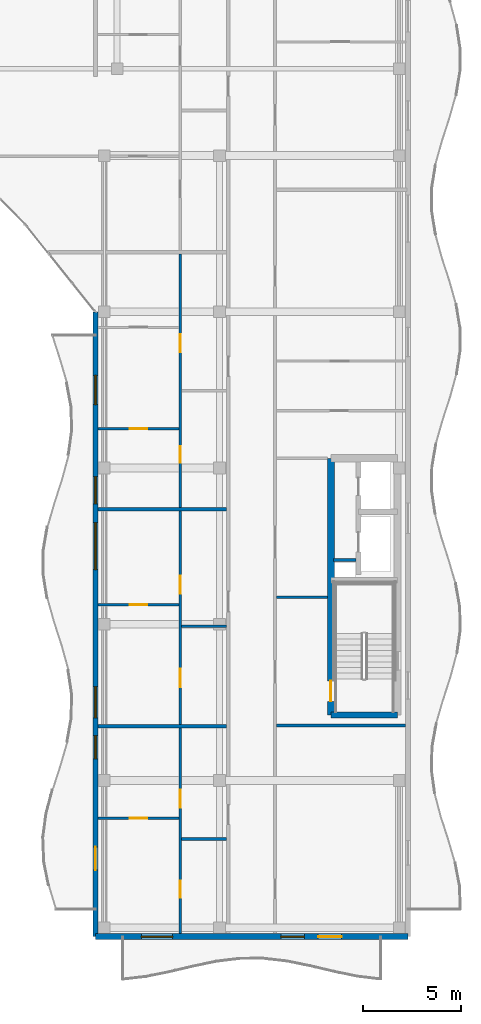
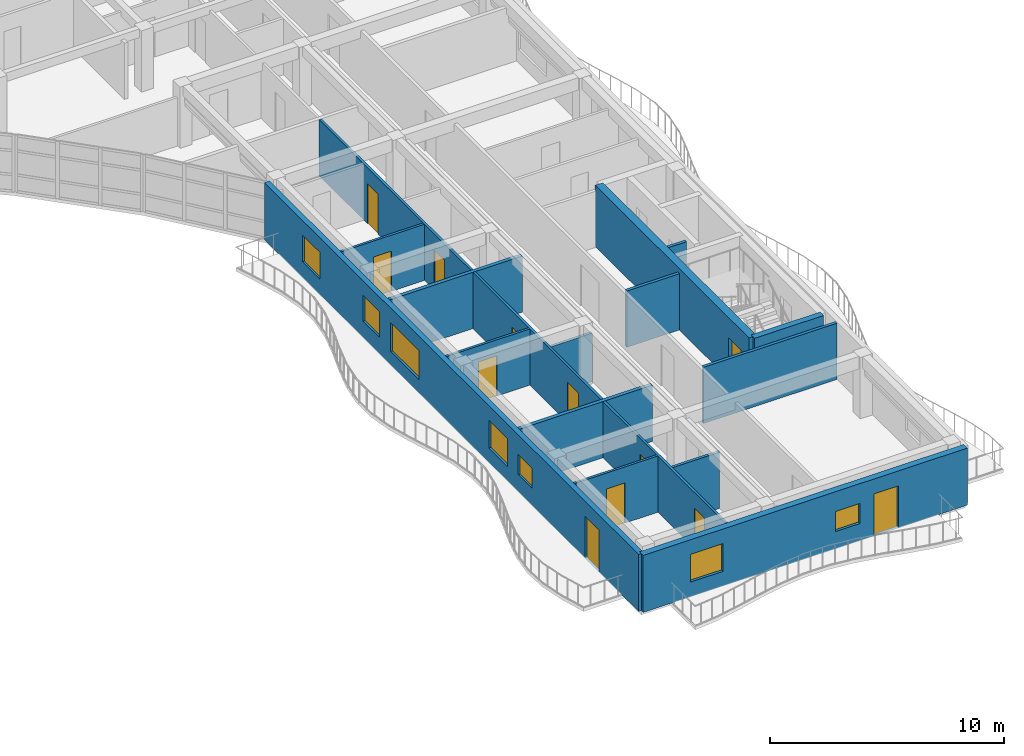
# One storey, part 42 of 72: 17 walls, 12 doors, 7 windows, 19 openings.
"""IFC4 building model written with IfcOpenShell, lengths in metres."""

import ifcopenshell
import ifcopenshell.guid

model = None  # the IFC model being written
_history = None  # IfcOwnerHistory: only IFC2X3 demands one
_inside = {}  # id of a spatial element -> (the spatial element, [elements in it])
_under = {}  # id of a project, library or spatial element -> (it, [spatial elements below it])
_declared = {}  # id of a project -> (the project, [libraries it declares])
_typed = {}  # id of a type object -> (the type object, [elements of that type])
_made_of = {}  # id of a material, layer set ... -> (it, [elements and type objects made of it])


def new_model(schema):
    """Start an empty IFC model of exactly this schema.

    Asked for "IFC4X3", IfcOpenShell would pick the latest addendum, in which some entities
    have other attributes; the version numbers below select the first issue.
    IFC2X3 requires an IfcOwnerHistory on every rooted entity: one is made here for all.
    """
    global model, _history
    if schema == "IFC4X3":
        model = ifcopenshell.file(schema_version=(4, 3, 0, 0))
    else:
        model = ifcopenshell.file(schema=schema)
    _inside.clear()
    _under.clear()
    _declared.clear()
    _typed.clear()
    _made_of.clear()
    _history = None
    if model.schema == "IFC2X3":
        org = make("IfcOrganization", Name="unknown")
        user = make(
            "IfcPersonAndOrganization",
            ThePerson=make("IfcPerson", FamilyName="unknown"),
            TheOrganization=org,
        )
        app = make(
            "IfcApplication",
            ApplicationDeveloper=org,
            Version="unknown",
            ApplicationFullName="unknown",
            ApplicationIdentifier="unknown",
        )
        _history = make(
            "IfcOwnerHistory",
            OwningUser=user,
            OwningApplication=app,
            ChangeAction="ADDED",
            CreationDate=0,
        )
    return model


def make(cls, **values):
    """One entity of the class cls with the attributes given. An attribute that is None is left unset."""
    return model.create_entity(
        cls, **{name: value for name, value in values.items() if value is not None}
    )


def rooted(cls, **values):
    """An entity with a GlobalId (a new one), such as an element, a storey or a relation."""
    return make(cls, GlobalId=ifcopenshell.guid.new(), OwnerHistory=_history, **values)


def si_unit(unit_type, name, prefix=None):
    """IfcSIUnit, for example si_unit("LENGTHUNIT", "METRE", prefix="MILLI")."""
    return make("IfcSIUnit", UnitType=unit_type, Prefix=prefix, Name=name)


def assignment(units):
    """IfcUnitAssignment: the units of a project."""
    return None if units is None else make("IfcUnitAssignment", Units=units)


def point(xyz):
    """IfcCartesianPoint."""
    return None if xyz is None else make("IfcCartesianPoint", Coordinates=xyz)


def direction(xyz):
    """IfcDirection."""
    return None if xyz is None else make("IfcDirection", DirectionRatios=xyz)


def frame(location, z_axis=None, x_axis=None):
    """IfcAxis2Placement3D, a coordinate frame: its origin and axes. An axis left out is left unset."""
    return make(
        "IfcAxis2Placement3D",
        Location=point(location),
        Axis=direction(z_axis),
        RefDirection=direction(x_axis),
    )


def frame_2d(location, x_axis=None):
    """IfcAxis2Placement2D, a coordinate frame in the plane: its origin and x axis."""
    return make(
        "IfcAxis2Placement2D", Location=point(location), RefDirection=direction(x_axis)
    )


def origin():
    """The frame at (0, 0, 0) with its axes left unset."""
    return frame((0.0, 0.0, 0.0))


def place(relative_to, where):
    """IfcLocalPlacement: puts the frame where relative to a parent placement (None: the world)."""
    return make(
        "IfcLocalPlacement", PlacementRelTo=relative_to, RelativePlacement=where
    )


def context(
    kind, dimensions, precision=None, world=None, true_north=None, identifier=None
):
    """IfcGeometricRepresentationContext, for example the 3D "Model" context."""
    return make(
        "IfcGeometricRepresentationContext",
        ContextIdentifier=identifier,
        ContextType=kind,
        CoordinateSpaceDimension=dimensions,
        Precision=precision,
        WorldCoordinateSystem=world,
        TrueNorth=true_north,
    )


def subcontext(parent, identifier, kind, view, scale=None):
    """IfcGeometricRepresentationSubContext, for example "Body" below "Model"."""
    return make(
        "IfcGeometricRepresentationSubContext",
        ContextIdentifier=identifier,
        ContextType=kind,
        ParentContext=parent,
        TargetScale=scale,
        TargetView=view,
    )


def project(units=None, contexts=None):
    """IfcProject with its units and contexts."""
    return rooted(
        "IfcProject",
        Name="project",
        RepresentationContexts=contexts,
        UnitsInContext=assignment(units),
    )


def spatial(cls, under=None, at=None, **own):
    """A site, building, storey or space (cls), placed at a placement, below another one or the project."""
    s = rooted(cls, ObjectPlacement=at, **own)
    if under is not None:
        _under.setdefault(under.id(), (under, []))[1].append(s)
    return s


def profile(cls, at=None, kind="AREA", **sizes):
    """A parametric profile (cls). Its sizes go by their IFC names, for example OverallWidth=200.0."""
    return make(cls, ProfileType=kind, Position=at, **sizes)


def rectangle(**sizes):
    """IfcRectangleProfileDef."""
    return profile("IfcRectangleProfileDef", **sizes)


def extrude(swept, where, along, depth):
    """IfcExtrudedAreaSolid: the profile swept, set in the frame where, extruded along a direction by depth."""
    return make(
        "IfcExtrudedAreaSolid",
        SweptArea=swept,
        Position=where,
        ExtrudedDirection=direction(along),
        Depth=depth,
    )


def shape(context_of_items, identifier, shape_type, items):
    """IfcShapeRepresentation: the items that make up one representation, for example the "Body"."""
    return make(
        "IfcShapeRepresentation",
        ContextOfItems=context_of_items,
        RepresentationIdentifier=identifier,
        RepresentationType=shape_type,
        Items=items,
    )


def material(Name=None, Category=None):
    """IfcMaterial."""
    return make("IfcMaterial", Name=Name, Category=Category)


def layer(
    of_material, thickness, ventilated=None, Name=None, Category=None, Priority=None
):
    """IfcMaterialLayer: one layer of a wall or slab, of a material (None: an air gap)."""
    return make(
        "IfcMaterialLayer",
        Material=of_material,
        LayerThickness=thickness,
        IsVentilated=ventilated,
        Name=Name,
        Category=Category,
        Priority=Priority,
    )


def layer_set(layers, Name=None):
    """IfcMaterialLayerSet."""
    return make("IfcMaterialLayerSet", MaterialLayers=layers, LayerSetName=Name)


def made_of(thing, what):
    """Note that an element or type object is made of a material, layer set ...; save() writes the relation."""
    if what is not None:
        _made_of.setdefault(what.id(), (what, []))[1].append(thing)
    return thing


def type_object(cls, material=None, **own):
    """A type object (cls), such as IfcWallType, which elements share."""
    return made_of(rooted(cls, **own), material)


def element(
    cls,
    number,
    at=None,
    inside=None,
    cuts=None,
    type_object=None,
    material=None,
    context=None,
    identifier="Body",
    shape_type=None,
    held_by="IfcProductDefinitionShape",
    body=None,
    shapes=None,
    **own,
):
    """One element of the class cls, such as IfcWall. Its Tag is "e" and its number.

    at: its placement. inside: the storey or other place that contains it. cuts: it is an
    opening in that element (IfcRelVoidsElement). A single representation is given by context,
    identifier, shape_type and body (its items); several are given by shapes. held_by: the class
    of the entity that holds the representations. save() writes the other relations.
    """
    e = rooted(cls, Tag="e%d" % number, ObjectPlacement=at, **own)
    if body is not None:
        shapes = [shape(context, identifier, shape_type, body)]
    if shapes is not None:
        e.Representation = make(held_by, Representations=shapes)
    if inside is not None:
        _inside.setdefault(inside.id(), (inside, []))[1].append(e)
    if cuts is not None:
        rooted(
            "IfcRelVoidsElement", RelatingBuildingElement=cuts, RelatedOpeningElement=e
        )
    if type_object is not None:
        _typed.setdefault(type_object.id(), (type_object, []))[1].append(e)
    return made_of(e, material)


def fill(opening, filler):
    """IfcRelFillsElement: the door or window that sits in an opening."""
    return rooted(
        "IfcRelFillsElement",
        RelatingOpeningElement=opening,
        RelatedBuildingElement=filler,
    )


def aggregate(whole, parts):
    """IfcRelAggregates: a whole, such as a stair, and the parts it consists of."""
    return rooted("IfcRelAggregates", RelatingObject=whole, RelatedObjects=parts)


def save(model, path):
    """Write the relations noted so far, then the file.

    IfcRelAggregates (storeys below a building ...), IfcRelContainedInSpatialStructure (elements
    in a storey), IfcRelDefinesByType, IfcRelAssociatesMaterial and IfcRelDeclares: one each for
    every whole, place, type object, material and project.
    """
    for whole, parts in _under.values():
        aggregate(whole, parts)
    for where, things in _inside.values():
        rooted(
            "IfcRelContainedInSpatialStructure",
            RelatedElements=things,
            RelatingStructure=where,
        )
    for kind, things in _typed.values():
        rooted("IfcRelDefinesByType", RelatedObjects=things, RelatingType=kind)
    for what, things in _made_of.values():
        rooted("IfcRelAssociatesMaterial", RelatedObjects=things, RelatingMaterial=what)
    for by, libraries in _declared.values():
        rooted("IfcRelDeclares", RelatingContext=by, RelatedDefinitions=libraries)
    model.write(path)


model = new_model("IFC4")

# Units and contexts
model_context = context("Model", 3, precision=1e-05, world=origin(), true_north=direction((0.0, 1.0)))
body_context = subcontext(model_context, "Body", "Model", "MODEL_VIEW")
ifc_project = project(units=[si_unit("LENGTHUNIT", "METRE"), si_unit("AREAUNIT", "SQUARE_METRE"), si_unit("VOLUMEUNIT", "CUBIC_METRE"), si_unit("PLANEANGLEUNIT", "RADIAN"), si_unit("MASSUNIT", "GRAM", prefix="KILO")], contexts=[model_context])

# Site, building, storey
site_placement = place(None, origin())
site = spatial("IfcSite", under=ifc_project, at=site_placement, CompositionType="ELEMENT")
building_placement = place(site_placement, origin())
building = spatial("IfcBuilding", under=site, at=building_placement, Name="Keldmere Railside Commons", CompositionType="ELEMENT")
storey_placement = place(building_placement, frame((0.0, 0.0, 16.9599609375)))
storey = spatial("IfcBuildingStorey", under=building, at=storey_placement, Name="L05", CompositionType="ELEMENT", Elevation=16.9599609375)

# Walls
ifc_material_1 = material(Name="Acoustic Gypsum Board Partition", Category="gypsum")
ifc_layer_1 = layer(ifc_material_1, 0.179931640625, Name="Acoustic Demising Partition 180")
ifc_layer_set_1 = layer_set([ifc_layer_1], Name="Acoustic Gypsum Board Partition")
wall_type_1 = type_object("IfcWallType", Name="Acoustic Demising Partition 180", PredefinedType="PARTITIONING", material=ifc_layer_set_1)
for number, where, z_axis, x_axis, name in (
    (1, (168.1298828125, 66.780029296875, 0.0), (0.0, 0.0, 1.0), (1.0, 0.0, 0.0), "IW-1 IW-L05-1604"),
    (2, (168.1298828125, 77.89990234375, 0.0), (0.0, 0.0, 1.0), (1.0, 0.0, 0.0), "IW-1 IW-L05-1605"),
):
    element("IfcWall", number, at=place(storey_placement, frame(where, z_axis=z_axis, x_axis=x_axis)), inside=storey, type_object=wall_type_1, Name=name, PredefinedType="PARTITIONING", context=body_context, shape_type="SweptSolid", body=[
        extrude(rectangle(XDim=6.590087890625, YDim=0.179931640625, at=frame_2d((3.294921875, 0.0))), origin(), (0.0, 0.0, 1.0), 2.93505859375),
    ])

# Wall, openings, doors
ifc_layer_2 = layer(ifc_material_1, 0.1201171875, Name="Apartment Interior Partition 120")
ifc_layer_set_2 = layer_set([ifc_layer_2], Name="Acoustic Gypsum Board Partition")
wall_type_2 = type_object("IfcWallType", Name="Apartment Interior Partition 120", PredefinedType="PARTITIONING", material=ifc_layer_set_2)
wall_1_placement = place(storey_placement, frame((172.340087890625, 56.159912109375, 0.0), z_axis=(0.0, 0.0, 1.0), x_axis=(0.0, 1.0, 0.0)))
wall_1 = element("IfcWall", 3, at=wall_1_placement, inside=storey, type_object=wall_type_2, Name="IW-4 IW-L05-1607", PredefinedType="PARTITIONING", context=body_context, shape_type="SweptSolid", body=[
    extrude(rectangle(XDim=10.530029296875, YDim=0.1201171875, at=frame_2d((5.26513671875, 0.0))), origin(), (0.0, 0.0, 1.0), 2.93505859375),
])
opening_1_placement = place(wall_1_placement, frame((1.839111328125, 0.0, 0.0)))
opening_1 = element("IfcOpeningElement", 4, at=opening_1_placement, cuts=wall_1, Name="Opening ID-04", PredefinedType="OPENING", context=body_context, shape_type="SweptSolid", body=[
    extrude(rectangle(XDim=0.860107421875, YDim=2.10009765625, at=frame_2d((0.43017578125, 1.050048828125))), frame((0.0, 0.070068359375, 0.0), z_axis=(0.0, -1.0, 0.0), x_axis=(1.0, 0.0, 0.0)), (0.0, 0.0, 1.0), 0.14013671875),
])
opening_2_placement = place(wall_1_placement, frame((6.43310546875, 0.0, 0.0)))
opening_2 = element("IfcOpeningElement", 5, at=opening_2_placement, cuts=wall_1, Name="Opening ID-03", PredefinedType="OPENING", context=body_context, shape_type="SweptSolid", body=[
    extrude(rectangle(XDim=0.919921875, YDim=2.10009765625, at=frame_2d((0.4599609375, 1.050048828125))), frame((0.0, 0.070068359375, 0.0), z_axis=(0.0, -1.0, 0.0), x_axis=(1.0, 0.0, 0.0)), (0.0, 0.0, 1.0), 0.14013671875),
])
ifc_material_2 = material(Name="Engineered Oak Timber", Category="wood")
door_type_1 = type_object("IfcDoorType", Name="Apartment Bathroom Door 860x2100", OperationType="NOTDEFINED", PredefinedType="DOOR", material=ifc_material_2)
door_1_placement = place(opening_1_placement, origin())
door_1 = element("IfcDoor", 6, at=door_1_placement, inside=storey, type_object=door_type_1, Name="ID-04 IDR-L05-1448", OperationType="SINGLE_SWING_RIGHT", OverallHeight=2.10009765625, OverallWidth=0.860107421875, PredefinedType="DOOR", context=body_context, shape_type="SweptSolid", body=[
    extrude(rectangle(XDim=0.860107421875, YDim=2.10009765625, at=frame_2d((0.43017578125, 1.050048828125))), frame((0.0, 0.02490234375, 0.0), z_axis=(0.0, -1.0, 0.0), x_axis=(1.0, 0.0, 0.0)), (0.0, 0.0, 1.0), 0.050048828125),
])
fill(opening_1, door_1)
door_type_2 = type_object("IfcDoorType", Name="Kitchen Pocket-Frame Swing Door 920x2100", OperationType="NOTDEFINED", PredefinedType="DOOR", material=ifc_material_2)
door_2_placement = place(opening_2_placement, origin())
door_2 = element("IfcDoor", 7, at=door_2_placement, inside=storey, type_object=door_type_2, Name="ID-03 IDR-L05-1449", OperationType="SINGLE_SWING_LEFT", OverallHeight=2.10009765625, OverallWidth=0.919921875, PredefinedType="DOOR", context=body_context, shape_type="SweptSolid", body=[
    extrude(rectangle(XDim=0.919921875, YDim=2.10009765625, at=frame_2d((0.4599609375, 1.050048828125))), frame((0.0, 0.02490234375, 0.0), z_axis=(0.0, -1.0, 0.0), x_axis=(1.0, 0.0, 0.0)), (0.0, 0.0, 1.0), 0.050048828125),
])
fill(opening_2, door_2)

# Wall, opening, door
wall_2_placement = place(storey_placement, frame((168.1298828125, 62.06005859375, 0.0), z_axis=(0.0, 0.0, 1.0), x_axis=(1.0, 0.0, 0.0)))
wall_2 = element("IfcWall", 8, at=wall_2_placement, inside=storey, type_object=wall_type_2, Name="IW-4 IW-L05-1609", PredefinedType="PARTITIONING", context=body_context, shape_type="SweptSolid", body=[
    extrude(rectangle(XDim=4.150146484375, YDim=0.1201171875, at=frame_2d((2.0751953125, 0.0))), origin(), (0.0, 0.0, 1.0), 2.93505859375),
])
opening_3_placement = place(wall_2_placement, frame((1.625, 0.0, 0.0)))
opening_3 = element("IfcOpeningElement", 9, at=opening_3_placement, cuts=wall_2, Name="Opening ID-01", PredefinedType="OPENING", context=body_context, shape_type="SweptSolid", body=[
    extrude(rectangle(XDim=0.89990234375, YDim=2.10009765625, at=frame_2d((0.449951171875, 1.050048828125))), frame((0.0, 0.070068359375, 0.0), z_axis=(0.0, -1.0, 0.0), x_axis=(1.0, 0.0, 0.0)), (0.0, 0.0, 1.0), 0.14013671875),
])
door_type_3 = type_object("IfcDoorType", Name="Primary Bedroom Door 900x2100", OperationType="NOTDEFINED", PredefinedType="DOOR", material=ifc_material_2)
door_3_placement = place(opening_3_placement, origin())
door_3 = element("IfcDoor", 10, at=door_3_placement, inside=storey, type_object=door_type_3, Name="ID-01 IDR-L05-1451", OperationType="SINGLE_SWING_LEFT", OverallHeight=2.10009765625, OverallWidth=0.89990234375, PredefinedType="DOOR", context=body_context, shape_type="SweptSolid", body=[
    extrude(rectangle(XDim=0.89990234375, YDim=2.10009765625, at=frame_2d((0.449951171875, 1.050048828125))), frame((0.0, 0.02490234375, 0.0), z_axis=(0.0, -1.0, 0.0), x_axis=(1.0, 0.0, 0.0)), (0.0, 0.0, 1.0), 0.050048828125),
])
fill(opening_3, door_3)

# Wall, openings, doors
wall_3_placement = place(storey_placement, frame((172.340087890625, 66.8701171875, 0.0), z_axis=(0.0, 0.0, 1.0), x_axis=(0.0, 1.0, 0.0)))
wall_3 = element("IfcWall", 11, at=wall_3_placement, inside=storey, type_object=wall_type_2, Name="IW-4 IW-L05-1610", PredefinedType="PARTITIONING", context=body_context, shape_type="SweptSolid", body=[
    extrude(rectangle(XDim=10.93994140625, YDim=0.1201171875, at=frame_2d((5.469970703125, 0.0))), origin(), (0.0, 0.0, 1.0), 2.93505859375),
])
opening_4_placement = place(wall_3_placement, frame((1.911376953125, 0.0, 0.0)))
opening_4 = element("IfcOpeningElement", 12, at=opening_4_placement, cuts=wall_3, Name="Opening ID-05", PredefinedType="OPENING", context=body_context, shape_type="SweptSolid", body=[
    extrude(rectangle(XDim=0.93994140625, YDim=2.10009765625, at=frame_2d((0.469970703125, 1.050048828125))), frame((0.0, 0.070068359375, 0.0), z_axis=(0.0, -1.0, 0.0), x_axis=(1.0, 0.0, 0.0)), (0.0, 0.0, 1.0), 0.14013671875),
])
opening_5_placement = place(wall_3_placement, frame((6.684814453125, 0.0, 0.0)))
opening_5 = element("IfcOpeningElement", 13, at=opening_5_placement, cuts=wall_3, Name="Opening ID-03", PredefinedType="OPENING", context=body_context, shape_type="SweptSolid", body=[
    extrude(rectangle(XDim=0.919921875, YDim=2.10009765625, at=frame_2d((0.4599609375, 1.050048828125))), frame((0.0, 0.070068359375, 0.0), z_axis=(0.0, -1.0, 0.0), x_axis=(1.0, 0.0, 0.0)), (0.0, 0.0, 1.0), 0.14013671875),
])
door_type_4 = type_object("IfcDoorType", Name="Accessible Bathroom Door 940x2100", OperationType="NOTDEFINED", PredefinedType="DOOR", material=ifc_material_2)
door_4_placement = place(opening_4_placement, origin())
door_4 = element("IfcDoor", 14, at=door_4_placement, inside=storey, type_object=door_type_4, Name="ID-05 IDR-L05-1452", OperationType="SINGLE_SWING_RIGHT", OverallHeight=2.10009765625, OverallWidth=0.93994140625, PredefinedType="DOOR", context=body_context, shape_type="SweptSolid", body=[
    extrude(rectangle(XDim=0.93994140625, YDim=2.10009765625, at=frame_2d((0.469970703125, 1.050048828125))), frame((0.0, 0.02490234375, 0.0), z_axis=(0.0, -1.0, 0.0), x_axis=(1.0, 0.0, 0.0)), (0.0, 0.0, 1.0), 0.050048828125),
])
fill(opening_4, door_4)
door_5_placement = place(opening_5_placement, origin())
door_5 = element("IfcDoor", 15, at=door_5_placement, inside=storey, type_object=door_type_2, Name="ID-03 IDR-L05-1453", OperationType="SINGLE_SWING_LEFT", OverallHeight=2.10009765625, OverallWidth=0.919921875, PredefinedType="DOOR", context=body_context, shape_type="SweptSolid", body=[
    extrude(rectangle(XDim=0.919921875, YDim=2.10009765625, at=frame_2d((0.4599609375, 1.050048828125))), frame((0.0, 0.02490234375, 0.0), z_axis=(0.0, -1.0, 0.0), x_axis=(1.0, 0.0, 0.0)), (0.0, 0.0, 1.0), 0.050048828125),
])
fill(opening_5, door_5)

# Wall, opening, door
wall_4_placement = place(storey_placement, frame((168.1298828125, 73.0, 0.0), z_axis=(0.0, 0.0, 1.0), x_axis=(1.0, 0.0, 0.0)))
wall_4 = element("IfcWall", 16, at=wall_4_placement, inside=storey, type_object=wall_type_2, Name="IW-4 IW-L05-1612", PredefinedType="PARTITIONING", context=body_context, shape_type="SweptSolid", body=[
    extrude(rectangle(XDim=4.150146484375, YDim=0.1201171875, at=frame_2d((2.0751953125, 0.0))), origin(), (0.0, 0.0, 1.0), 2.93505859375),
])
opening_6_placement = place(wall_4_placement, frame((1.625, 0.0, 0.0)))
opening_6 = element("IfcOpeningElement", 17, at=opening_6_placement, cuts=wall_4, Name="Opening ID-01", PredefinedType="OPENING", context=body_context, shape_type="SweptSolid", body=[
    extrude(rectangle(XDim=0.89990234375, YDim=2.10009765625, at=frame_2d((0.449951171875, 1.050048828125))), frame((0.0, 0.070068359375, 0.0), z_axis=(0.0, -1.0, 0.0), x_axis=(1.0, 0.0, 0.0)), (0.0, 0.0, 1.0), 0.14013671875),
])
door_6_placement = place(opening_6_placement, origin())
door_6 = element("IfcDoor", 18, at=door_6_placement, inside=storey, type_object=door_type_3, Name="ID-01 IDR-L05-1455", OperationType="SINGLE_SWING_LEFT", OverallHeight=2.10009765625, OverallWidth=0.89990234375, PredefinedType="DOOR", context=body_context, shape_type="SweptSolid", body=[
    extrude(rectangle(XDim=0.89990234375, YDim=2.10009765625, at=frame_2d((0.449951171875, 1.050048828125))), frame((0.0, 0.02490234375, 0.0), z_axis=(0.0, -1.0, 0.0), x_axis=(1.0, 0.0, 0.0)), (0.0, 0.0, 1.0), 0.050048828125),
])
fill(opening_6, door_6)

# Wall, openings, doors
wall_5_placement = place(storey_placement, frame((172.340087890625, 77.989990234375, 0.0), z_axis=(0.0, 0.0, 1.0), x_axis=(0.0, 1.0, 0.0)))
wall_5 = element("IfcWall", 19, at=wall_5_placement, inside=storey, type_object=wall_type_2, Name="IW-4 IW-L05-1613", PredefinedType="PARTITIONING", context=body_context, shape_type="SweptSolid", body=[
    extrude(rectangle(XDim=12.969970703125, YDim=0.1201171875, at=frame_2d((6.48486328125, 0.0))), origin(), (0.0, 0.0, 1.0), 2.93505859375),
])
opening_7_placement = place(wall_5_placement, frame((2.2685546875, 0.0, 0.0)))
opening_7 = element("IfcOpeningElement", 20, at=opening_7_placement, cuts=wall_5, Name="Opening ID-04", PredefinedType="OPENING", context=body_context, shape_type="SweptSolid", body=[
    extrude(rectangle(XDim=0.860107421875, YDim=2.10009765625, at=frame_2d((0.43017578125, 1.050048828125))), frame((0.0, 0.070068359375, 0.0), z_axis=(0.0, -1.0, 0.0), x_axis=(1.0, 0.0, 0.0)), (0.0, 0.0, 1.0), 0.14013671875),
])
opening_8_placement = place(wall_5_placement, frame((7.929931640625, 0.0, 0.0)))
opening_8 = element("IfcOpeningElement", 21, at=opening_8_placement, cuts=wall_5, Name="Opening ID-03", PredefinedType="OPENING", context=body_context, shape_type="SweptSolid", body=[
    extrude(rectangle(XDim=0.919921875, YDim=2.10009765625, at=frame_2d((0.4599609375, 1.050048828125))), frame((0.0, 0.070068359375, 0.0), z_axis=(0.0, -1.0, 0.0), x_axis=(1.0, 0.0, 0.0)), (0.0, 0.0, 1.0), 0.14013671875),
])
door_7_placement = place(opening_7_placement, origin())
door_7 = element("IfcDoor", 22, at=door_7_placement, inside=storey, type_object=door_type_1, Name="ID-04 IDR-L05-1456", OperationType="SINGLE_SWING_RIGHT", OverallHeight=2.10009765625, OverallWidth=0.860107421875, PredefinedType="DOOR", context=body_context, shape_type="SweptSolid", body=[
    extrude(rectangle(XDim=0.860107421875, YDim=2.10009765625, at=frame_2d((0.43017578125, 1.050048828125))), frame((0.0, 0.02490234375, 0.0), z_axis=(0.0, -1.0, 0.0), x_axis=(1.0, 0.0, 0.0)), (0.0, 0.0, 1.0), 0.050048828125),
])
fill(opening_7, door_7)
door_8_placement = place(opening_8_placement, origin())
door_8 = element("IfcDoor", 23, at=door_8_placement, inside=storey, type_object=door_type_2, Name="ID-03 IDR-L05-1457", OperationType="SINGLE_SWING_LEFT", OverallHeight=2.10009765625, OverallWidth=0.919921875, PredefinedType="DOOR", context=body_context, shape_type="SweptSolid", body=[
    extrude(rectangle(XDim=0.919921875, YDim=2.10009765625, at=frame_2d((0.4599609375, 1.050048828125))), frame((0.0, 0.02490234375, 0.0), z_axis=(0.0, -1.0, 0.0), x_axis=(1.0, 0.0, 0.0)), (0.0, 0.0, 1.0), 0.050048828125),
])
fill(opening_8, door_8)

# Wall, opening, door
wall_6_placement = place(storey_placement, frame((168.1298828125, 82.010009765625, 0.0), z_axis=(0.0, 0.0, 1.0), x_axis=(1.0, 0.0, 0.0)))
wall_6 = element("IfcWall", 24, at=wall_6_placement, inside=storey, type_object=wall_type_2, Name="IW-4 IW-L05-1615", PredefinedType="PARTITIONING", context=body_context, shape_type="SweptSolid", body=[
    extrude(rectangle(XDim=4.150146484375, YDim=0.1201171875, at=frame_2d((2.0751953125, 0.0))), origin(), (0.0, 0.0, 1.0), 2.93505859375),
])
opening_9_placement = place(wall_6_placement, frame((1.625, 0.0, 0.0)))
opening_9 = element("IfcOpeningElement", 25, at=opening_9_placement, cuts=wall_6, Name="Opening ID-01", PredefinedType="OPENING", context=body_context, shape_type="SweptSolid", body=[
    extrude(rectangle(XDim=0.89990234375, YDim=2.10009765625, at=frame_2d((0.449951171875, 1.050048828125))), frame((0.0, 0.070068359375, 0.0), z_axis=(0.0, -1.0, 0.0), x_axis=(1.0, 0.0, 0.0)), (0.0, 0.0, 1.0), 0.14013671875),
])
door_9_placement = place(opening_9_placement, origin())
door_9 = element("IfcDoor", 26, at=door_9_placement, inside=storey, type_object=door_type_3, Name="ID-01 IDR-L05-1459", OperationType="SINGLE_SWING_LEFT", OverallHeight=2.10009765625, OverallWidth=0.89990234375, PredefinedType="DOOR", context=body_context, shape_type="SweptSolid", body=[
    extrude(rectangle(XDim=0.89990234375, YDim=2.10009765625, at=frame_2d((0.449951171875, 1.050048828125))), frame((0.0, 0.02490234375, 0.0), z_axis=(0.0, -1.0, 0.0), x_axis=(1.0, 0.0, 0.0)), (0.0, 0.0, 1.0), 0.050048828125),
])
fill(opening_9, door_9)

ifc_material_3 = material(Name="Concrete H-40 (C40/50)", Category="concrete")
ifc_layer_3 = layer(ifc_material_3, 0.3798828125, Name="Core Shear Wall 380")
ifc_layer_set_3 = layer_set([ifc_layer_3], Name="Concrete H-40 (C40/50)")
wall_type_3 = type_object("IfcWallType", Name="Core Shear Wall 380", PredefinedType="SHEAR", material=ifc_layer_set_3)
wall_7_placement = place(storey_placement, frame((180.06005859375, 67.35009765625, 0.0), z_axis=(0.0, 0.0, 1.0), x_axis=(0.0, 1.0, 0.0)))
wall_7 = element("IfcWall", 27, at=wall_7_placement, inside=storey, type_object=wall_type_3, Name="CW-CORE COREAW-L05-0768", PredefinedType="SHEAR", context=body_context, shape_type="SweptSolid", body=[
    extrude(rectangle(XDim=13.14990234375, YDim=0.3798828125, at=frame_2d((6.574951171875, 0.0))), origin(), (0.0, 0.0, 1.0), 3.199951171875),
])
opening_10_placement = place(wall_7_placement, frame((0.699951171875, 0.0, 0.0)))
opening_10 = element("IfcOpeningElement", 28, at=opening_10_placement, cuts=wall_7, Name="Opening FD-1", PredefinedType="OPENING", context=body_context, shape_type="SweptSolid", body=[
    extrude(rectangle(XDim=1.050048828125, YDim=2.14990234375, at=frame_2d((0.52490234375, 1.074951171875))), frame((0.0, 0.199951171875, 0.0), z_axis=(0.0, -1.0, 0.0), x_axis=(1.0, 0.0, 0.0)), (0.0, 0.0, 1.0), 0.39990234375),
])
ifc_material_4 = material(Name="Steel F-24 (S235)", Category="steel")
door_type_5 = type_object("IfcDoorType", Name="Stair Core Fire Door 1050x2150", OperationType="NOTDEFINED", PredefinedType="DOOR", material=ifc_material_4)
door_10_placement = place(opening_10_placement, origin())
door_10 = element("IfcDoor", 29, at=door_10_placement, inside=storey, type_object=door_type_5, Name="FD-1 A1 L05", OperationType="SINGLE_SWING_LEFT", OverallHeight=2.14990234375, OverallWidth=1.050048828125, PredefinedType="DOOR", context=body_context, shape_type="SweptSolid", body=[
    extrude(rectangle(XDim=1.050048828125, YDim=2.14990234375, at=frame_2d((0.52490234375, 1.074951171875))), frame((0.0, 0.02490234375, 0.0), z_axis=(0.0, -1.0, 0.0), x_axis=(1.0, 0.0, 0.0)), (0.0, 0.0, 1.0), 0.050048828125),
])
fill(opening_10, door_10)

# Wall, openings, windows, door
ifc_material_5 = material(Name="Concrete H-35 (C35/45)", Category="concrete")
ifc_layer_4 = layer(ifc_material_5, 0.320068359375, Name="Exterior Shear Wall 320")
ifc_layer_set_4 = layer_set([ifc_layer_4], Name="Concrete H-35 (C35/45)")
wall_type_4 = type_object("IfcWallType", Name="Exterior Shear Wall 320", PredefinedType="SHEAR", material=ifc_layer_set_4)
wall_8_placement = place(storey_placement, frame((184.0, 56.0, 0.0), z_axis=(0.0, 0.0, 1.0), x_axis=(-1.0, 0.0, 0.0)))
wall_8 = element("IfcWall", 30, at=wall_8_placement, inside=storey, type_object=wall_type_4, Name="ESW-2 EXTA-L05-0910", PredefinedType="SHEAR", context=body_context, shape_type="SweptSolid", body=[
    extrude(rectangle(XDim=16.0, YDim=0.320068359375, at=frame_2d((8.0, 0.0))), origin(), (0.0, 0.0, 1.0), 2.97998046875),
])
opening_11_placement = place(wall_8_placement, frame((3.39990234375, 0.0, 0.0)))
opening_11 = element("IfcOpeningElement", 31, at=opening_11_placement, cuts=wall_8, Name="Opening BD-01", PredefinedType="OPENING", context=body_context, shape_type="SweptSolid", body=[
    extrude(rectangle(XDim=1.199951171875, YDim=2.199951171875, at=frame_2d((0.60009765625, 1.10009765625))), frame((0.0, 0.169921875, 0.0), z_axis=(0.0, -1.0, 0.0), x_axis=(1.0, 0.0, 0.0)), (0.0, 0.0, 1.0), 0.340087890625),
])
opening_12_placement = place(wall_8_placement, frame((5.300048828125, 0.0, 0.89990234375)))
opening_12 = element("IfcOpeningElement", 32, at=opening_12_placement, cuts=wall_8, Name="Opening WN-14", PredefinedType="OPENING", context=body_context, shape_type="SweptSolid", body=[
    extrude(rectangle(XDim=1.199951171875, YDim=1.050048828125, at=frame_2d((0.60009765625, 0.52490234375))), frame((0.0, 0.169921875, 0.0), z_axis=(0.0, -1.0, 0.0), x_axis=(1.0, 0.0, 0.0)), (0.0, 0.0, 1.0), 0.340087890625),
])
opening_13_placement = place(wall_8_placement, frame((12.050048828125, 0.0, 0.77001953125)))
opening_13 = element("IfcOpeningElement", 33, at=opening_13_placement, cuts=wall_8, Name="Opening WN-04", PredefinedType="OPENING", context=body_context, shape_type="SweptSolid", body=[
    extrude(rectangle(XDim=1.60009765625, YDim=1.449951171875, at=frame_2d((0.800048828125, 0.72509765625))), frame((0.0, 0.169921875, 0.0), z_axis=(0.0, -1.0, 0.0), x_axis=(1.0, 0.0, 0.0)), (0.0, 0.0, 1.0), 0.340087890625),
])
ifc_material_6 = material(Name="Low-E Insulated Double Glazing", Category="glass")
window_type_1 = type_object("IfcWindowType", Name="Apartment Kitchen Ribbon Window 1200x1050", PartitioningType="SINGLE_PANEL", PredefinedType="WINDOW", material=ifc_material_6)
window_1_placement = place(opening_12_placement, origin())
window_1 = element("IfcWindow", 34, at=window_1_placement, inside=storey, type_object=window_type_1, Name="WN-14 WIN-L05-0662", OverallHeight=1.050048828125, OverallWidth=1.199951171875, PartitioningType="SINGLE_PANEL", PredefinedType="WINDOW", context=body_context, shape_type="SweptSolid", body=[
    extrude(rectangle(XDim=1.199951171875, YDim=1.050048828125, at=frame_2d((0.60009765625, 0.52490234375))), frame((0.0, 0.030029296875, 0.0), z_axis=(0.0, -1.0, 0.0), x_axis=(1.0, 0.0, 0.0)), (0.0, 0.0, 1.0), 0.06005859375),
])
fill(opening_12, window_1)
ifc_material_7 = material(Name="Thermally Broken Aluminium", Category="aluminium")
door_type_6 = type_object("IfcDoorType", Name="Apartment Living Wave-Balcony Glazed Door 1200x2200", OperationType="NOTDEFINED", PredefinedType="DOOR", material=ifc_material_7)
door_11_placement = place(opening_11_placement, origin())
door_11 = element("IfcDoor", 35, at=door_11_placement, inside=storey, type_object=door_type_6, Name="BD-01 DR-L05-0244", OperationType="SINGLE_SWING_RIGHT", OverallHeight=2.199951171875, OverallWidth=1.199951171875, PredefinedType="DOOR", context=body_context, shape_type="SweptSolid", body=[
    extrude(rectangle(XDim=1.199951171875, YDim=2.199951171875, at=frame_2d((0.60009765625, 1.10009765625))), frame((0.0, 0.02490234375, 0.0), z_axis=(0.0, -1.0, 0.0), x_axis=(1.0, 0.0, 0.0)), (0.0, 0.0, 1.0), 0.050048828125),
])
fill(opening_11, door_11)
window_type_2 = type_object("IfcWindowType", Name="Living Room West Shaded Window 1600x1450", PartitioningType="SINGLE_PANEL", PredefinedType="WINDOW", material=ifc_material_6)
window_2_placement = place(opening_13_placement, origin())
window_2 = element("IfcWindow", 36, at=window_2_placement, inside=storey, type_object=window_type_2, Name="WN-04 WIN-L05-0663", OverallHeight=1.449951171875, OverallWidth=1.60009765625, PartitioningType="SINGLE_PANEL", PredefinedType="WINDOW", context=body_context, shape_type="SweptSolid", body=[
    extrude(rectangle(XDim=1.60009765625, YDim=1.449951171875, at=frame_2d((0.800048828125, 0.72509765625))), frame((0.0, 0.030029296875, 0.0), z_axis=(0.0, -1.0, 0.0), x_axis=(1.0, 0.0, 0.0)), (0.0, 0.0, 1.0), 0.06005859375),
])
fill(opening_13, window_2)

# Walls
ifc_layer_5 = layer(ifc_material_5, 0.300048828125, Name="Interior Shear Wall 300")
ifc_layer_set_5 = layer_set([ifc_layer_5], Name="Concrete H-35 (C35/45)")
wall_type_5 = type_object("IfcWallType", Name="Interior Shear Wall 300", PredefinedType="SHEAR", material=ifc_layer_set_5)
wall_9_placement = place(storey_placement, frame((183.469970703125, 67.35009765625, 0.0), z_axis=(0.0, 0.0, 1.0), x_axis=(-1.0, 0.0, 0.0)))
element("IfcWall", 37, at=wall_9_placement, inside=storey, type_object=wall_type_5, Name="ISW-2 COREAS-L05-0771", PredefinedType="SHEAR", context=body_context, shape_type="SweptSolid", body=[
    extrude(rectangle(XDim=3.409912109375, YDim=0.300048828125, at=frame_2d((1.705078125, 0.0))), origin(), (0.0, 0.0, 1.0), 3.199951171875),
])
ifc_layer_6 = layer(ifc_material_1, 0.14990234375, Name="Lobby Rated Partition 150")
ifc_layer_set_6 = layer_set([ifc_layer_6], Name="Acoustic Gypsum Board Partition")
wall_type_6 = type_object("IfcWallType", Name="Lobby Rated Partition 150", PredefinedType="PARTITIONING", material=ifc_layer_set_6)
wall_10_placement = place(storey_placement, frame((180.199951171875, 75.280029296875, 0.0), z_axis=(0.0, 0.0, 1.0), x_axis=(1.0, 0.0, 0.0)))
element("IfcWall", 38, at=wall_10_placement, inside=storey, type_object=wall_type_6, Name="IW-3 RSRNA-L05-0775", PredefinedType="PARTITIONING", context=body_context, shape_type="SweptSolid", body=[
    extrude(rectangle(XDim=1.130126953125, YDim=0.14990234375, at=frame_2d((0.56494140625, 0.0))), origin(), (0.0, 0.0, 1.0), 2.949951171875),
])
wall_11_placement = place(storey_placement, frame((177.280029296875, 66.820068359375, 0.0), z_axis=(0.0, 0.0, 1.0), x_axis=(1.0, 0.0, 0.0)))
element("IfcWall", 39, at=wall_11_placement, inside=storey, type_object=wall_type_6, Name="IW-3 IW-L05-1593", PredefinedType="PARTITIONING", context=body_context, shape_type="SweptSolid", body=[
    extrude(rectangle(XDim=6.590087890625, YDim=0.14990234375, at=frame_2d((3.294921875, 0.0))), origin(), (0.0, 0.0, 1.0), 2.93505859375),
])
wall_12_placement = place(storey_placement, frame((177.280029296875, 73.3798828125, 0.0), z_axis=(0.0, 0.0, 1.0), x_axis=(1.0, 0.0, 0.0)))
element("IfcWall", 40, at=wall_12_placement, inside=storey, type_object=wall_type_6, Name="IW-3 IW-L05-1594", PredefinedType="PARTITIONING", context=body_context, shape_type="SweptSolid", body=[
    extrude(rectangle(XDim=2.590087890625, YDim=0.14990234375, at=frame_2d((1.294921875, 0.0))), origin(), (0.0, 0.0, 1.0), 2.93505859375),
])

# Wall, openings, windows, door
ifc_material_8 = material(Name="Terracotta Brick Masonry", Category="masonry")
ifc_layer_7 = layer(ifc_material_8, 0.260009765625, Name="Terracotta Cavity Wall 260")
ifc_layer_set_7 = layer_set([ifc_layer_7], Name="Terracotta Brick Masonry")
wall_type_7 = type_object("IfcWallType", Name="Terracotta Cavity Wall 260", PredefinedType="SOLIDWALL", material=ifc_layer_set_7)
wall_13_placement = place(storey_placement, frame((168.0, 56.0, 0.0), z_axis=(0.0, 0.0, 1.0), x_axis=(0.0, 1.0, 0.0)))
wall_13 = element("IfcWall", 41, at=wall_13_placement, inside=storey, type_object=wall_type_7, Name="EW-1 EXTA-L05-0915", PredefinedType="SOLIDWALL", context=body_context, shape_type="SweptSolid", body=[
    extrude(rectangle(XDim=32.0, YDim=0.260009765625, at=frame_2d((16.0, 0.0))), origin(), (0.0, 0.0, 1.0), 2.97998046875),
])
opening_14_placement = place(wall_13_placement, frame((3.39990234375, 0.0, 0.0)))
opening_14 = element("IfcOpeningElement", 42, at=opening_14_placement, cuts=wall_13, Name="Opening BD-01", PredefinedType="OPENING", context=body_context, shape_type="SweptSolid", body=[
    extrude(rectangle(XDim=1.199951171875, YDim=2.199951171875, at=frame_2d((0.60009765625, 1.10009765625))), frame((0.0, 0.139892578125, 0.0), z_axis=(0.0, -1.0, 0.0), x_axis=(1.0, 0.0, 0.0)), (0.0, 0.0, 1.0), 0.280029296875),
])
opening_15_placement = place(wall_13_placement, frame((9.10009765625, 0.0, 0.89990234375)))
opening_15 = element("IfcOpeningElement", 43, at=opening_15_placement, cuts=wall_13, Name="Opening WN-14", PredefinedType="OPENING", context=body_context, shape_type="SweptSolid", body=[
    extrude(rectangle(XDim=1.199951171875, YDim=1.050048828125, at=frame_2d((0.60009765625, 0.52490234375))), frame((0.0, 0.139892578125, 0.0), z_axis=(0.0, -1.0, 0.0), x_axis=(1.0, 0.0, 0.0)), (0.0, 0.0, 1.0), 0.280029296875),
])
opening_16_placement = place(wall_13_placement, frame((11.199951171875, 0.0, 0.77001953125)))
opening_16 = element("IfcOpeningElement", 44, at=opening_16_placement, cuts=wall_13, Name="Opening WN-04", PredefinedType="OPENING", context=body_context, shape_type="SweptSolid", body=[
    extrude(rectangle(XDim=1.60009765625, YDim=1.449951171875, at=frame_2d((0.800048828125, 0.72509765625))), frame((0.0, 0.139892578125, 0.0), z_axis=(0.0, -1.0, 0.0), x_axis=(1.0, 0.0, 0.0)), (0.0, 0.0, 1.0), 0.280029296875),
])
opening_17_placement = place(wall_13_placement, frame((18.800048828125, 0.0, 0.719970703125)))
opening_17 = element("IfcOpeningElement", 45, at=opening_17_placement, cuts=wall_13, Name="Opening WN-05", PredefinedType="OPENING", context=body_context, shape_type="SweptSolid", body=[
    extrude(rectangle(XDim=2.39990234375, YDim=1.5, at=frame_2d((1.199951171875, 0.75))), frame((0.0, 0.139892578125, 0.0), z_axis=(0.0, -1.0, 0.0), x_axis=(1.0, 0.0, 0.0)), (0.0, 0.0, 1.0), 0.280029296875),
])
opening_18_placement = place(wall_13_placement, frame((27.25, 0.0, 0.820068359375)))
opening_18 = element("IfcOpeningElement", 46, at=opening_18_placement, cuts=wall_13, Name="Opening WN-06", PredefinedType="OPENING", context=body_context, shape_type="SweptSolid", body=[
    extrude(rectangle(XDim=1.5, YDim=1.39990234375, at=frame_2d((0.75, 0.699951171875))), frame((0.0, 0.139892578125, 0.0), z_axis=(0.0, -1.0, 0.0), x_axis=(1.0, 0.0, 0.0)), (0.0, 0.0, 1.0), 0.280029296875),
])
opening_19_placement = place(wall_13_placement, frame((22.159912109375, 0.0, 0.8701171875)))
opening_19 = element("IfcOpeningElement", 47, at=opening_19_placement, cuts=wall_13, Name="Opening WN-08", PredefinedType="OPENING", context=body_context, shape_type="SweptSolid", body=[
    extrude(rectangle(XDim=1.39990234375, YDim=1.35009765625, at=frame_2d((0.699951171875, 0.675048828125))), frame((0.0, 0.139892578125, 0.0), z_axis=(0.0, -1.0, 0.0), x_axis=(1.0, 0.0, 0.0)), (0.0, 0.0, 1.0), 0.280029296875),
])
window_3_placement = place(opening_15_placement, origin())
window_3 = element("IfcWindow", 48, at=window_3_placement, inside=storey, type_object=window_type_1, Name="WN-14 WIN-L05-0678", OverallHeight=1.050048828125, OverallWidth=1.199951171875, PartitioningType="SINGLE_PANEL", PredefinedType="WINDOW", context=body_context, shape_type="SweptSolid", body=[
    extrude(rectangle(XDim=1.199951171875, YDim=1.050048828125, at=frame_2d((0.60009765625, 0.52490234375))), frame((0.0, 0.030029296875, 0.0), z_axis=(0.0, -1.0, 0.0), x_axis=(1.0, 0.0, 0.0)), (0.0, 0.0, 1.0), 0.06005859375),
])
fill(opening_15, window_3)
door_12_placement = place(opening_14_placement, origin())
door_12 = element("IfcDoor", 49, at=door_12_placement, inside=storey, type_object=door_type_6, Name="BD-01 DR-L05-0249", OperationType="SINGLE_SWING_LEFT", OverallHeight=2.199951171875, OverallWidth=1.199951171875, PredefinedType="DOOR", context=body_context, shape_type="SweptSolid", body=[
    extrude(rectangle(XDim=1.199951171875, YDim=2.199951171875, at=frame_2d((0.60009765625, 1.10009765625))), frame((0.0, 0.02490234375, 0.0), z_axis=(0.0, -1.0, 0.0), x_axis=(1.0, 0.0, 0.0)), (0.0, 0.0, 1.0), 0.050048828125),
])
fill(opening_14, door_12)
window_type_3 = type_object("IfcWindowType", Name="Corner Dual-Aspect Ribbon Window 2400x1500", PartitioningType="SINGLE_PANEL", PredefinedType="WINDOW", material=ifc_material_6)
window_4_placement = place(opening_17_placement, origin())
window_4 = element("IfcWindow", 50, at=window_4_placement, inside=storey, type_object=window_type_3, Name="WN-05 WIN-L05-0680", OverallHeight=1.5, OverallWidth=2.39990234375, PartitioningType="SINGLE_PANEL", PredefinedType="WINDOW", context=body_context, shape_type="SweptSolid", body=[
    extrude(rectangle(XDim=2.39990234375, YDim=1.5, at=frame_2d((1.199951171875, 0.75))), frame((0.0, 0.030029296875, 0.0), z_axis=(0.0, -1.0, 0.0), x_axis=(1.0, 0.0, 0.0)), (0.0, 0.0, 1.0), 0.06005859375),
])
fill(opening_17, window_4)
window_5_placement = place(opening_16_placement, origin())
window_5 = element("IfcWindow", 51, at=window_5_placement, inside=storey, type_object=window_type_2, Name="WN-04 WIN-L05-0679", OverallHeight=1.449951171875, OverallWidth=1.60009765625, PartitioningType="SINGLE_PANEL", PredefinedType="WINDOW", context=body_context, shape_type="SweptSolid", body=[
    extrude(rectangle(XDim=1.60009765625, YDim=1.449951171875, at=frame_2d((0.800048828125, 0.72509765625))), frame((0.0, 0.030029296875, 0.0), z_axis=(0.0, -1.0, 0.0), x_axis=(1.0, 0.0, 0.0)), (0.0, 0.0, 1.0), 0.06005859375),
])
fill(opening_16, window_5)
window_type_4 = type_object("IfcWindowType", Name="Primary Bedroom East/West Window 1400x1350", PartitioningType="SINGLE_PANEL", PredefinedType="WINDOW", material=ifc_material_6)
window_6_placement = place(opening_19_placement, origin())
window_6 = element("IfcWindow", 52, at=window_6_placement, inside=storey, type_object=window_type_4, Name="WN-08 WIN-L05-9047", OverallHeight=1.35009765625, OverallWidth=1.39990234375, PartitioningType="SINGLE_PANEL", PredefinedType="WINDOW", context=body_context, shape_type="SweptSolid", body=[
    extrude(rectangle(XDim=1.39990234375, YDim=1.35009765625, at=frame_2d((0.699951171875, 0.675048828125))), frame((0.0, 0.030029296875, 0.0), z_axis=(0.0, -1.0, 0.0), x_axis=(1.0, 0.0, 0.0)), (0.0, 0.0, 1.0), 0.06005859375),
])
fill(opening_19, window_6)
window_type_5 = type_object("IfcWindowType", Name="Primary Bedroom North Window 1500x1400", PartitioningType="SINGLE_PANEL", PredefinedType="WINDOW", material=ifc_material_6)
window_7_placement = place(opening_18_placement, origin())
window_7 = element("IfcWindow", 53, at=window_7_placement, inside=storey, type_object=window_type_5, Name="WN-06 WIN-L05-0681", OverallHeight=1.39990234375, OverallWidth=1.5, PartitioningType="SINGLE_PANEL", PredefinedType="WINDOW", context=body_context, shape_type="SweptSolid", body=[
    extrude(rectangle(XDim=1.5, YDim=1.39990234375, at=frame_2d((0.75, 0.699951171875))), frame((0.0, 0.030029296875, 0.0), z_axis=(0.0, -1.0, 0.0), x_axis=(1.0, 0.0, 0.0)), (0.0, 0.0, 1.0), 0.06005859375),
])
fill(opening_18, window_7)

# Walls
ifc_layer_8 = layer(ifc_material_1, 0.139892578125, Name="Wet-Room Sanitary Partition 140")
ifc_layer_set_8 = layer_set([ifc_layer_8], Name="Acoustic Gypsum Board Partition")
wall_type_8 = type_object("IfcWallType", Name="Wet-Room Sanitary Partition 140", PredefinedType="PARTITIONING", material=ifc_layer_set_8)
wall_14_placement = place(storey_placement, frame((172.39990234375, 61.0, 0.0), z_axis=(0.0, 0.0, 1.0), x_axis=(1.0, 0.0, 0.0)))
element("IfcWall", 54, at=wall_14_placement, inside=storey, type_object=wall_type_8, Name="IW-5 IW-L05-1608", PredefinedType="PARTITIONING", context=body_context, shape_type="SweptSolid", body=[
    extrude(rectangle(XDim=2.320068359375, YDim=0.139892578125, at=frame_2d((1.16015625, 0.0))), origin(), (0.0, 0.0, 1.0), 2.93505859375),
])
wall_15_placement = place(storey_placement, frame((172.39990234375, 71.89990234375, 0.0), z_axis=(0.0, 0.0, 1.0), x_axis=(1.0, 0.0, 0.0)))
element("IfcWall", 55, at=wall_15_placement, inside=storey, type_object=wall_type_8, Name="IW-5 IW-L05-1611", PredefinedType="PARTITIONING", context=body_context, shape_type="SweptSolid", body=[
    extrude(rectangle(XDim=2.320068359375, YDim=0.139892578125, at=frame_2d((1.16015625, 0.0))), origin(), (0.0, 0.0, 1.0), 2.530029296875),
])

save(model, "model.ifc")
